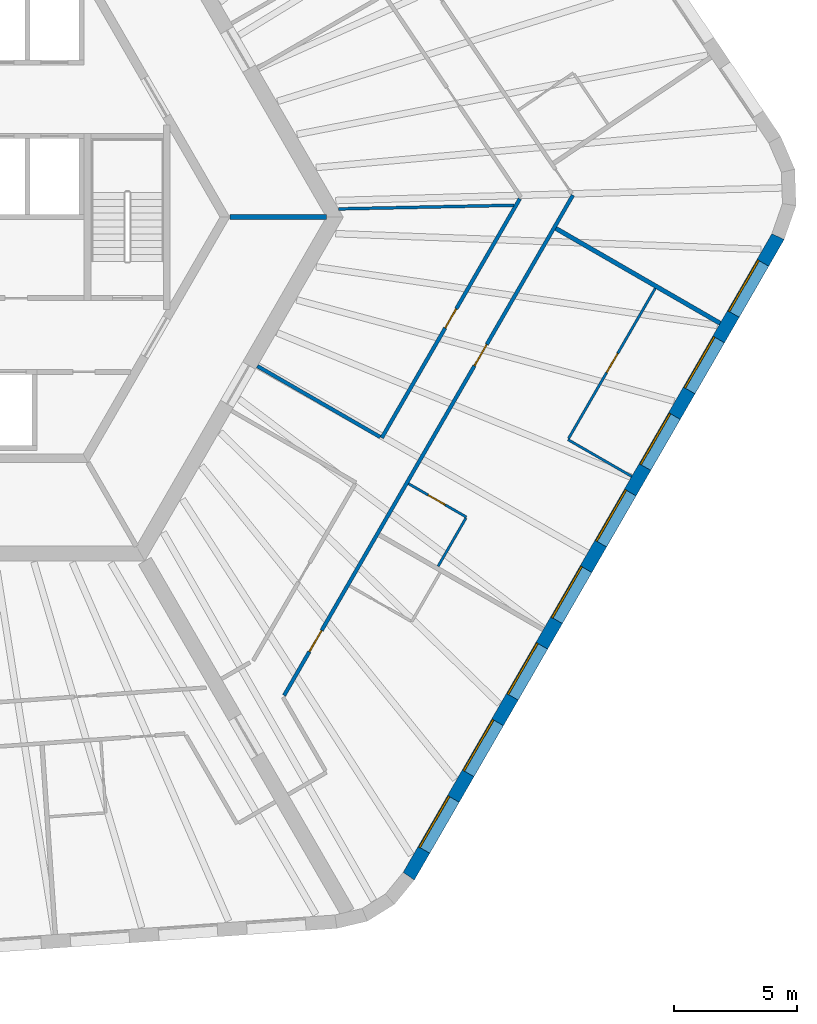
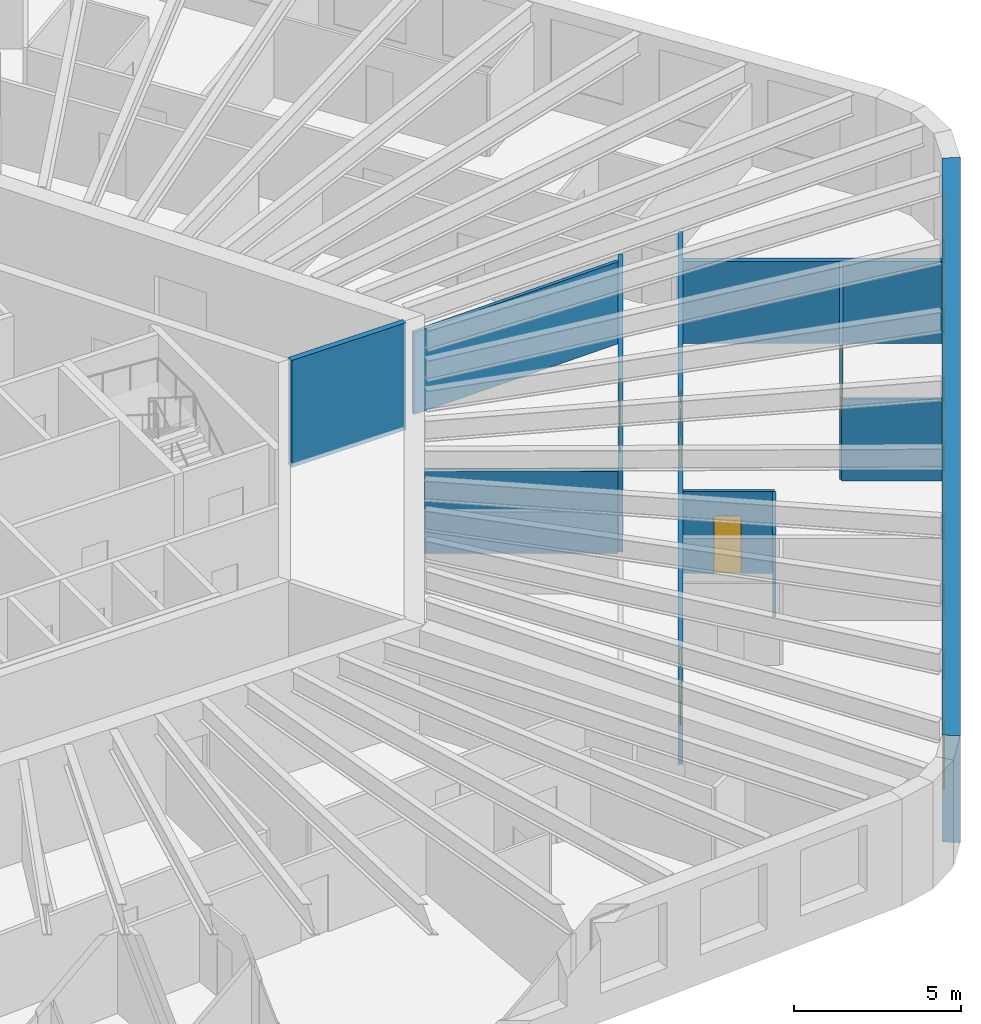
# One storey, part 6 of 12: 11 walls, 8 windows, 5 doors, 13 openings.
"""IFC4 building model written with IfcOpenShell, lengths in metres."""

from ifc_helpers import new_model, si_unit, direction, frame, frame_2d, origin, place, context, subcontext, project, spatial, polyline, rectangle, outline, extrude, material, layer, layer_set, type_object, element, fill, save


model = new_model("IFC4")

# Units and contexts
model_context = context("Model", 3, precision=1e-05, world=origin(), true_north=direction((0.0, 1.0)))
body_context = subcontext(model_context, "Body", "Model", "MODEL_VIEW")
ifc_project = project(units=[si_unit("LENGTHUNIT", "METRE"), si_unit("AREAUNIT", "SQUARE_METRE"), si_unit("VOLUMEUNIT", "CUBIC_METRE"), si_unit("PLANEANGLEUNIT", "RADIAN"), si_unit("MASSUNIT", "GRAM", prefix="KILO")], contexts=[model_context])

# Site, building, storey
site_placement = place(None, origin())
site = spatial("IfcSite", under=ifc_project, at=site_placement, CompositionType="ELEMENT")
building_placement = place(site_placement, origin())
building = spatial("IfcBuilding", under=site, at=building_placement, Name="Tarnside Tower", CompositionType="ELEMENT")
storey_placement = place(building_placement, frame((0.0, 0.0, 88.199951171875)))
storey = spatial("IfcBuildingStorey", under=building, at=storey_placement, Name="L19", CompositionType="ELEMENT", Elevation=88.199951171875)

# Wall, opening, door
ifc_material_1 = material(Name="Gypsum board partition on steel studs", Category="steel")
ifc_layer_1 = layer(ifc_material_1, 0.10009765625)
ifc_layer_set_1 = layer_set([ifc_layer_1], Name="Bathroom wall 100")
wall_type_1 = type_object("IfcWallType", Name="Bathroom wall 100", PredefinedType="PARTITIONING", material=ifc_layer_set_1)
wall_1_placement = place(storey_placement, frame((18.81982421875, -10.85302734375, 0.0), z_axis=(0.0, 0.0, 1.0), x_axis=(0.866073700213, -0.499916338801, 0.0)))
wall_1 = element("IfcWall", 1, at=wall_1_placement, inside=storey, type_object=wall_type_1, Name="Bathroom wall 05142", PredefinedType="PARTITIONING", context=body_context, shape_type="SweptSolid", body=[
    extrude(rectangle(XDim=2.72509765625, YDim=0.10009765625, at=frame_2d((1.362548828125, 0.0))), origin(), (0.0, 0.0, 1.0), 2.98779296875),
])
opening_1_placement = place(wall_1_placement, frame((0.925048828125, 0.0, 0.0)))
opening_1 = element("IfcOpeningElement", 2, at=opening_1_placement, cuts=wall_1, Name="Opening D-B1", PredefinedType="OPENING", context=body_context, shape_type="SweptSolid", body=[
    extrude(rectangle(XDim=0.800048828125, YDim=2.10009765625, at=frame_2d((0.39990234375, 1.050048828125))), frame((0.0, 0.06005859375, 0.0), z_axis=(0.0, -1.0, 0.0), x_axis=(1.0, 0.0, 0.0)), (0.0, 0.0, 1.0), 0.1201171875),
])
ifc_material_2 = material(Name="Timber door leaf", Category="wood")
door_type_1 = type_object("IfcDoorType", Name="Bathroom door 800", OperationType="NOTDEFINED", PredefinedType="DOOR", material=ifc_material_2)
door_1_placement = place(opening_1_placement, origin())
door_1 = element("IfcDoor", 3, at=door_1_placement, inside=storey, type_object=door_type_1, Name="Bathroom door 05033", OperationType="SINGLE_SWING_RIGHT", OverallHeight=2.10009765625, OverallWidth=0.800048828125, PredefinedType="DOOR", context=body_context, shape_type="SweptSolid", body=[
    extrude(rectangle(XDim=0.800048828125, YDim=2.10009765625, at=frame_2d((0.39990234375, 1.050048828125))), frame((0.0, 0.02490234375, 0.0), z_axis=(0.0, -1.0, 0.0), x_axis=(1.0, 0.0, 0.0)), (0.0, 0.0, 1.0), 0.050048828125),
])
fill(opening_1, door_1)

# Wall
wall_2_placement = place(storey_placement, frame((21.15478515625, -12.2587890625, 0.0), z_axis=(0.0, 0.0, 1.0), x_axis=(-0.49995000081, -0.866054268906, 0.0)))
element("IfcWall", 4, at=wall_2_placement, inside=storey, type_object=wall_type_1, Name="Bathroom wall 05143", PredefinedType="PARTITIONING", context=body_context, shape_type="SweptSolid", body=[
    extrude(rectangle(XDim=2.260009765625, YDim=0.10009765625, at=frame_2d((1.1298828125, 0.0))), origin(), (0.0, 0.0, 1.0), 2.98779296875),
])

# Wall, openings, doors
ifc_layer_2 = layer(ifc_material_1, 0.14990234375)
ifc_layer_set_2 = layer_set([ifc_layer_2], Name="Corridor wall 150 EI 60")
wall_type_2 = type_object("IfcWallType", Name="Corridor wall 150 EI 60", PredefinedType="PARTITIONING", material=ifc_layer_set_2)
wall_3_placement = place(storey_placement, frame((13.75537109375, -19.47509765625, 0.0), z_axis=(0.0, 0.0, 1.0), x_axis=(0.50000013933, 0.866025323342, 0.0)))
wall_3 = element("IfcWall", 5, at=wall_3_placement, inside=storey, type_object=wall_type_2, Name="Corridor wall 05057", PredefinedType="PARTITIONING", context=body_context, shape_type="SweptSolid", body=[
    extrude(rectangle(XDim=23.5166015625, YDim=0.14990234375, at=frame_2d((11.75830078125, 0.0))), origin(), (0.0, 0.0, 1.0), 2.98779296875),
])
opening_2_placement = place(wall_3_placement, frame((2.056396484375, 0.0, 0.0)))
opening_2 = element("IfcOpeningElement", 6, at=opening_2_placement, cuts=wall_3, Name="Opening D-E1", PredefinedType="OPENING", context=body_context, shape_type="SweptSolid", body=[
    extrude(rectangle(XDim=1.0, YDim=2.10009765625, at=frame_2d((0.5, 1.050048828125))), frame((0.0, 0.0849609375, 0.0), z_axis=(0.0, -1.0, 0.0), x_axis=(1.0, 0.0, 0.0)), (0.0, 0.0, 1.0), 0.169921875),
])
opening_3_placement = place(wall_3_placement, frame((15.499267578125, 0.0, 0.0)))
opening_3 = element("IfcOpeningElement", 7, at=opening_3_placement, cuts=wall_3, Name="Opening D-E1", PredefinedType="OPENING", context=body_context, shape_type="SweptSolid", body=[
    extrude(rectangle(XDim=1.0, YDim=2.10009765625, at=frame_2d((0.5, 1.050048828125))), frame((0.0, 0.0849609375, 0.0), z_axis=(0.0, -1.0, 0.0), x_axis=(1.0, 0.0, 0.0)), (0.0, 0.0, 1.0), 0.169921875),
])
door_type_2 = type_object("IfcDoorType", Name="Unit entrance door 1000 FD30S", OperationType="NOTDEFINED", PredefinedType="DOOR", material=ifc_material_2)
door_2_placement = place(opening_2_placement, origin())
door_2 = element("IfcDoor", 8, at=door_2_placement, inside=storey, type_object=door_type_2, Name="Unit door 05030", OperationType="SINGLE_SWING_RIGHT", OverallHeight=2.10009765625, OverallWidth=1.0, PredefinedType="DOOR", context=body_context, shape_type="SweptSolid", body=[
    extrude(rectangle(XDim=1.0, YDim=2.10009765625, at=frame_2d((0.5, 1.050048828125))), frame((0.0, 0.02490234375, 0.0), z_axis=(0.0, -1.0, 0.0), x_axis=(1.0, 0.0, 0.0)), (0.0, 0.0, 1.0), 0.050048828125),
])
fill(opening_2, door_2)
door_3_placement = place(opening_3_placement, origin())
door_3 = element("IfcDoor", 9, at=door_3_placement, inside=storey, type_object=door_type_2, Name="Unit door 05032", OperationType="SINGLE_SWING_LEFT", OverallHeight=2.10009765625, OverallWidth=1.0, PredefinedType="DOOR", context=body_context, shape_type="SweptSolid", body=[
    extrude(rectangle(XDim=1.0, YDim=2.10009765625, at=frame_2d((0.5, 1.050048828125))), frame((0.0, 0.02490234375, 0.0), z_axis=(0.0, -1.0, 0.0), x_axis=(1.0, 0.0, 0.0)), (0.0, 0.0, 1.0), 0.050048828125),
])
fill(opening_3, door_3)

# Wall, opening, door
wall_4_placement = place(storey_placement, frame((23.3505859375, 0.74462890625, 0.0), z_axis=(0.0, 0.0, 1.0), x_axis=(-0.49999316964, -0.866029347258, 0.0)))
wall_4 = element("IfcWall", 10, at=wall_4_placement, inside=storey, type_object=wall_type_2, Name="Corridor wall 05069", PredefinedType="PARTITIONING", context=body_context, shape_type="SweptSolid", body=[
    extrude(rectangle(XDim=11.241455078125, YDim=0.14990234375, at=frame_2d((5.62060546875, 0.0))), origin(), (0.0, 0.0, 1.0), 2.98779296875),
])
opening_4_placement = place(wall_4_placement, frame((5.170654296875, 0.0, 0.0)))
opening_4 = element("IfcOpeningElement", 11, at=opening_4_placement, cuts=wall_4, Name="Opening D-S1", PredefinedType="OPENING", context=body_context, shape_type="SweptSolid", body=[
    extrude(rectangle(XDim=0.89990234375, YDim=2.10009765625, at=frame_2d((0.449951171875, 1.050048828125))), frame((0.0, 0.0849609375, 0.0), z_axis=(0.0, -1.0, 0.0), x_axis=(1.0, 0.0, 0.0)), (0.0, 0.0, 1.0), 0.169921875),
])
door_type_3 = type_object("IfcDoorType", Name="Service room door 900 FD30S", OperationType="NOTDEFINED", PredefinedType="DOOR", material=ifc_material_2)
door_4_placement = place(opening_4_placement, origin())
door_4 = element("IfcDoor", 12, at=door_4_placement, inside=storey, type_object=door_type_3, Name="Service door 05049", OperationType="SINGLE_SWING_RIGHT", OverallHeight=2.10009765625, OverallWidth=0.89990234375, PredefinedType="DOOR", context=body_context, shape_type="SweptSolid", body=[
    extrude(rectangle(XDim=0.89990234375, YDim=2.10009765625, at=frame_2d((0.449951171875, 1.050048828125))), frame((0.0, 0.02490234375, 0.0), z_axis=(0.0, -1.0, 0.0), x_axis=(1.0, 0.0, 0.0)), (0.0, 0.0, 1.0), 0.050048828125),
])
fill(opening_4, door_4)

# Walls
wall_5_placement = place(storey_placement, frame((17.6650390625, -8.953125, 0.0), z_axis=(0.0, 0.0, 1.0), x_axis=(-0.866025774745, 0.499999357477, 0.0)))
element("IfcWall", 13, at=wall_5_placement, inside=storey, type_object=wall_type_2, Name="Corridor wall 05070", PredefinedType="PARTITIONING", context=body_context, shape_type="SweptSolid", body=[
    extrude(rectangle(XDim=5.77490234375, YDim=0.14990234375, at=frame_2d((2.887451171875, 0.0))), origin(), (0.0, 0.0, 1.0), 2.98779296875),
])
ifc_layer_3 = layer(ifc_material_1, 0.179931640625)
ifc_layer_set_3 = layer_set([ifc_layer_3], Name="Demising wall 180 EI 60")
wall_type_3 = type_object("IfcWallType", Name="Demising wall 180 EI 60", PredefinedType="PARTITIONING", material=ifc_layer_set_3)
wall_6_placement = place(storey_placement, frame((31.510009765625, -4.3232421875, 0.0), z_axis=(0.0, 0.0, 1.0), x_axis=(-0.866027174938, 0.499996932259, 0.0)))
element("IfcWall", 14, at=wall_6_placement, inside=storey, type_object=wall_type_3, Name="Demising wall 05146", PredefinedType="PARTITIONING", context=body_context, shape_type="SweptSolid", body=[
    extrude(rectangle(XDim=7.72509765625, YDim=0.179931640625, at=frame_2d((3.862548828125, 0.0))), origin(), (0.0, 0.0, 1.0), 2.98779296875),
])
ifc_material_3 = material(Name="Concrete C40/50", Category="concrete")
ifc_layer_4 = layer(ifc_material_3, 0.199951171875)
ifc_layer_set_4 = layer_set([ifc_layer_4], Name="Lift shaft wall 200 C40/50")
wall_type_4 = type_object("IfcWallType", Name="Lift shaft wall 200 C40/50", PredefinedType="SHEAR", material=ifc_layer_set_4)
wall_7_placement = place(storey_placement, frame((11.547119140625, 0.0, -0.14990234375), z_axis=(0.0, 0.0, 1.0), x_axis=(1.0, 0.0, 0.0)))
element("IfcWall", 15, at=wall_7_placement, inside=storey, type_object=wall_type_4, Name="L19 core partition AR0", PredefinedType="SHEAR", context=body_context, shape_type="SweptSolid", body=[
    extrude(rectangle(XDim=3.92578125, YDim=0.199951171875, at=frame_2d((1.962890625, 0.0))), origin(), (0.0, 0.0, 1.0), 3.89990234375),
])
ifc_layer_5 = layer(ifc_material_1, 0.10009765625)
ifc_layer_set_5 = layer_set([ifc_layer_5], Name="Partition 100")
wall_type_5 = type_object("IfcWallType", Name="Partition 100", PredefinedType="PARTITIONING", material=ifc_layer_set_5)
wall_8_placement = place(storey_placement, frame((27.909912109375, -10.55859375, 0.0), z_axis=(0.0, 0.0, 1.0), x_axis=(-0.866010750942, 0.50002537861, 0.0)))
element("IfcWall", 16, at=wall_8_placement, inside=storey, type_object=wall_type_5, Name="Partition wall 05144", PredefinedType="PARTITIONING", context=body_context, shape_type="SweptSolid", body=[
    extrude(rectangle(XDim=2.999755859375, YDim=0.10009765625, at=frame_2d((1.5, 0.0))), origin(), (0.0, 0.0, 1.0), 2.98779296875),
])

# Wall, opening, door
wall_9_placement = place(storey_placement, frame((25.3369140625, -9.01513671875, 0.0), z_axis=(0.0, 0.0, 1.0), x_axis=(0.500010820671, 0.866019156377, 0.0)))
wall_9 = element("IfcWall", 17, at=wall_9_placement, inside=storey, type_object=wall_type_5, Name="Partition wall 05145", PredefinedType="PARTITIONING", context=body_context, shape_type="SweptSolid", body=[
    extrude(rectangle(XDim=7.059814453125, YDim=0.10009765625, at=frame_2d((3.52978515625, 0.0))), origin(), (0.0, 0.0, 1.0), 2.98779296875),
])
opening_5_placement = place(wall_9_placement, frame((3.10009765625, 0.0, 0.0)))
opening_5 = element("IfcOpeningElement", 18, at=opening_5_placement, cuts=wall_9, Name="Opening D-I1", PredefinedType="OPENING", context=body_context, shape_type="SweptSolid", body=[
    extrude(rectangle(XDim=0.89990234375, YDim=2.10009765625, at=frame_2d((0.449951171875, 1.050048828125))), frame((0.0, 0.06005859375, 0.0), z_axis=(0.0, -1.0, 0.0), x_axis=(1.0, 0.0, 0.0)), (0.0, 0.0, 1.0), 0.1201171875),
])
door_type_4 = type_object("IfcDoorType", Name="Internal door 900", OperationType="NOTDEFINED", PredefinedType="DOOR", material=ifc_material_2)
door_5_placement = place(opening_5_placement, origin())
door_5 = element("IfcDoor", 19, at=door_5_placement, inside=storey, type_object=door_type_4, Name="Internal door 05034", OperationType="SINGLE_SWING_RIGHT", OverallHeight=2.10009765625, OverallWidth=0.89990234375, PredefinedType="DOOR", context=body_context, shape_type="SweptSolid", body=[
    extrude(rectangle(XDim=0.89990234375, YDim=2.10009765625, at=frame_2d((0.449951171875, 1.050048828125))), frame((0.0, 0.02490234375, 0.0), z_axis=(0.0, -1.0, 0.0), x_axis=(1.0, 0.0, 0.0)), (0.0, 0.0, 1.0), 0.050048828125),
])
fill(opening_5, door_5)

# Wall
ifc_layer_6 = layer(ifc_material_1, 0.1201171875)
ifc_layer_set_6 = layer_set([ifc_layer_6], Name="Service room wall 120 EI 60")
wall_type_6 = type_object("IfcWallType", Name="Service room wall 120 EI 60", PredefinedType="PARTITIONING", material=ifc_layer_set_6)
wall_10_placement = place(storey_placement, frame((23.113037109375, 0.483154296875, 0.0), z_axis=(0.0, 0.0, 1.0), x_axis=(-0.999781109464, -0.020922073482, 0.0)))
element("IfcWall", 20, at=wall_10_placement, inside=storey, type_object=wall_type_6, Name="Service wall 05161", PredefinedType="PARTITIONING", context=body_context, shape_type="SweptSolid", body=[
    extrude(rectangle(XDim=7.141357421875, YDim=0.1201171875, at=frame_2d((3.57080078125, 0.0))), origin(), (0.0, 0.0, 1.0), 2.98779296875),
])

# Wall, openings, windows
ifc_material_4 = material(Name="Facing brick", Category="masonry")
ifc_layer_7 = layer(ifc_material_4, 0.10205078125)
ifc_material_5 = material(Name="Concrete C60/75 precast", Category="concrete")
ifc_layer_8 = layer(ifc_material_5, 0.347900390625)
ifc_material_6 = material(Name="Mineral wool insulation")
ifc_layer_9 = layer(ifc_material_6, 0.10009765625)
ifc_layer_set_7 = layer_set([ifc_layer_7, ifc_layer_8, ifc_layer_9], Name="Tube wall 550 brick faced")
wall_type_7 = type_object("IfcWallType", Name="Tube wall 550 brick faced", PredefinedType="SOLIDWALL", material=ifc_layer_set_7)
wall_11_placement = place(storey_placement, frame((18.830322265625, -26.834716796875, -0.14990234375), z_axis=(0.0, 0.0, 1.0), x_axis=(0.500003800416, 0.866023209602, 0.0)))
wall_11 = element("IfcWall", 21, at=wall_11_placement, inside=storey, type_object=wall_type_7, Name="Tube wall L19 F5 flush 16", PredefinedType="SOLIDWALL", context=body_context, shape_type="SweptSolid", body=[
    extrude(outline(polyline([(-0.0224609375, -0.27490234375), (30.0966796875, -0.27490234375), (30.04541015625, 0.27490234375), (0.0224609375, 0.27490234375), (-0.0224609375, -0.27490234375)])), origin(), (0.0, 0.0, 1.0), 3.89990234375),
])
opening_6_placement = place(wall_11_placement, frame((1.235595703125, 0.0, 1.050048828125)))
opening_6 = element("IfcOpeningElement", 22, at=opening_6_placement, cuts=wall_11, Name="Opening WH", PredefinedType="OPENING", context=body_context, shape_type="SweptSolid", body=[
    extrude(rectangle(XDim=2.39990234375, YDim=2.39990234375, at=frame_2d((1.199951171875, 1.199951171875))), frame((0.0, 0.28515625, 0.0), z_axis=(0.0, -1.0, 0.0), x_axis=(1.0, 0.0, 0.0)), (0.0, 0.0, 1.0), 0.570068359375),
])
opening_7_placement = place(wall_11_placement, frame((4.83544921875, 0.0, 1.050048828125)))
opening_7 = element("IfcOpeningElement", 23, at=opening_7_placement, cuts=wall_11, Name="Opening WH", PredefinedType="OPENING", context=body_context, shape_type="SweptSolid", body=[
    extrude(rectangle(XDim=2.39990234375, YDim=2.39990234375, at=frame_2d((1.199951171875, 1.199951171875))), frame((0.0, 0.28515625, 0.0), z_axis=(0.0, -1.0, 0.0), x_axis=(1.0, 0.0, 0.0)), (0.0, 0.0, 1.0), 0.570068359375),
])
opening_8_placement = place(wall_11_placement, frame((8.435546875, 0.0, 1.050048828125)))
opening_8 = element("IfcOpeningElement", 24, at=opening_8_placement, cuts=wall_11, Name="Opening WH", PredefinedType="OPENING", context=body_context, shape_type="SweptSolid", body=[
    extrude(rectangle(XDim=2.39990234375, YDim=2.39990234375, at=frame_2d((1.199951171875, 1.199951171875))), frame((0.0, 0.28515625, 0.0), z_axis=(0.0, -1.0, 0.0), x_axis=(1.0, 0.0, 0.0)), (0.0, 0.0, 1.0), 0.570068359375),
])
opening_9_placement = place(wall_11_placement, frame((12.035400390625, 0.0, 1.050048828125)))
opening_9 = element("IfcOpeningElement", 25, at=opening_9_placement, cuts=wall_11, Name="Opening WH", PredefinedType="OPENING", context=body_context, shape_type="SweptSolid", body=[
    extrude(rectangle(XDim=2.39990234375, YDim=2.39990234375, at=frame_2d((1.199951171875, 1.199951171875))), frame((0.0, 0.28515625, 0.0), z_axis=(0.0, -1.0, 0.0), x_axis=(1.0, 0.0, 0.0)), (0.0, 0.0, 1.0), 0.570068359375),
])
opening_10_placement = place(wall_11_placement, frame((15.635498046875, 0.0, 1.050048828125)))
opening_10 = element("IfcOpeningElement", 26, at=opening_10_placement, cuts=wall_11, Name="Opening WH", PredefinedType="OPENING", context=body_context, shape_type="SweptSolid", body=[
    extrude(rectangle(XDim=2.39990234375, YDim=2.39990234375, at=frame_2d((1.199951171875, 1.199951171875))), frame((0.0, 0.28515625, 0.0), z_axis=(0.0, -1.0, 0.0), x_axis=(1.0, 0.0, 0.0)), (0.0, 0.0, 1.0), 0.570068359375),
])
opening_11_placement = place(wall_11_placement, frame((19.235595703125, 0.0, 1.050048828125)))
opening_11 = element("IfcOpeningElement", 27, at=opening_11_placement, cuts=wall_11, Name="Opening WH", PredefinedType="OPENING", context=body_context, shape_type="SweptSolid", body=[
    extrude(rectangle(XDim=2.39990234375, YDim=2.39990234375, at=frame_2d((1.199951171875, 1.199951171875))), frame((0.0, 0.28515625, 0.0), z_axis=(0.0, -1.0, 0.0), x_axis=(1.0, 0.0, 0.0)), (0.0, 0.0, 1.0), 0.570068359375),
])
opening_12_placement = place(wall_11_placement, frame((22.83544921875, 0.0, 1.050048828125)))
opening_12 = element("IfcOpeningElement", 28, at=opening_12_placement, cuts=wall_11, Name="Opening WH", PredefinedType="OPENING", context=body_context, shape_type="SweptSolid", body=[
    extrude(rectangle(XDim=2.39990234375, YDim=2.39990234375, at=frame_2d((1.199951171875, 1.199951171875))), frame((0.0, 0.28515625, 0.0), z_axis=(0.0, -1.0, 0.0), x_axis=(1.0, 0.0, 0.0)), (0.0, 0.0, 1.0), 0.570068359375),
])
opening_13_placement = place(wall_11_placement, frame((26.435546875, 0.0, 1.050048828125)))
opening_13 = element("IfcOpeningElement", 29, at=opening_13_placement, cuts=wall_11, Name="Opening WH", PredefinedType="OPENING", context=body_context, shape_type="SweptSolid", body=[
    extrude(rectangle(XDim=2.39990234375, YDim=2.39990234375, at=frame_2d((1.199951171875, 1.199951171875))), frame((0.0, 0.28515625, 0.0), z_axis=(0.0, -1.0, 0.0), x_axis=(1.0, 0.0, 0.0)), (0.0, 0.0, 1.0), 0.570068359375),
])
ifc_material_7 = material(Name="Aluminium-framed double glazing", Category="aluminium")
window_type = type_object("IfcWindowType", Name="Hotel window 2400 x 2400", PartitioningType="DOUBLE_PANEL_VERTICAL", PredefinedType="WINDOW", material=ifc_material_7)
window_1_placement = place(opening_6_placement, frame((0.0, 0.205078125, 0.0)))
window_1 = element("IfcWindow", 30, at=window_1_placement, inside=storey, type_object=window_type, Name="E.WN.L19.F5.00", OverallHeight=2.39990234375, OverallWidth=2.39990234375, PartitioningType="DOUBLE_PANEL_VERTICAL", PredefinedType="WINDOW", context=body_context, shape_type="SweptSolid", body=[
    extrude(rectangle(XDim=2.39990234375, YDim=2.39990234375, at=frame_2d((1.199951171875, 1.199951171875))), frame((0.0, 0.030029296875, 0.0), z_axis=(0.0, -1.0, 0.0), x_axis=(1.0, 0.0, 0.0)), (0.0, 0.0, 1.0), 0.06005859375),
])
fill(opening_6, window_1)
window_2_placement = place(opening_7_placement, frame((0.0, 0.205078125, 0.0)))
window_2 = element("IfcWindow", 31, at=window_2_placement, inside=storey, type_object=window_type, Name="E.WN.L19.F5.01", OverallHeight=2.39990234375, OverallWidth=2.39990234375, PartitioningType="DOUBLE_PANEL_VERTICAL", PredefinedType="WINDOW", context=body_context, shape_type="SweptSolid", body=[
    extrude(rectangle(XDim=2.39990234375, YDim=2.39990234375, at=frame_2d((1.199951171875, 1.199951171875))), frame((0.0, 0.030029296875, 0.0), z_axis=(0.0, -1.0, 0.0), x_axis=(1.0, 0.0, 0.0)), (0.0, 0.0, 1.0), 0.06005859375),
])
fill(opening_7, window_2)
window_3_placement = place(opening_8_placement, frame((0.0, 0.205078125, 0.0)))
window_3 = element("IfcWindow", 32, at=window_3_placement, inside=storey, type_object=window_type, Name="E.WN.L19.F5.02", OverallHeight=2.39990234375, OverallWidth=2.39990234375, PartitioningType="DOUBLE_PANEL_VERTICAL", PredefinedType="WINDOW", context=body_context, shape_type="SweptSolid", body=[
    extrude(rectangle(XDim=2.39990234375, YDim=2.39990234375, at=frame_2d((1.199951171875, 1.199951171875))), frame((0.0, 0.030029296875, 0.0), z_axis=(0.0, -1.0, 0.0), x_axis=(1.0, 0.0, 0.0)), (0.0, 0.0, 1.0), 0.06005859375),
])
fill(opening_8, window_3)
window_4_placement = place(opening_9_placement, frame((0.0, 0.205078125, 0.0)))
window_4 = element("IfcWindow", 33, at=window_4_placement, inside=storey, type_object=window_type, Name="E.WN.L19.F5.03", OverallHeight=2.39990234375, OverallWidth=2.39990234375, PartitioningType="DOUBLE_PANEL_VERTICAL", PredefinedType="WINDOW", context=body_context, shape_type="SweptSolid", body=[
    extrude(rectangle(XDim=2.39990234375, YDim=2.39990234375, at=frame_2d((1.199951171875, 1.199951171875))), frame((0.0, 0.030029296875, 0.0), z_axis=(0.0, -1.0, 0.0), x_axis=(1.0, 0.0, 0.0)), (0.0, 0.0, 1.0), 0.06005859375),
])
fill(opening_9, window_4)
window_5_placement = place(opening_10_placement, frame((0.0, 0.205078125, 0.0)))
window_5 = element("IfcWindow", 34, at=window_5_placement, inside=storey, type_object=window_type, Name="E.WN.L19.F5.04", OverallHeight=2.39990234375, OverallWidth=2.39990234375, PartitioningType="DOUBLE_PANEL_VERTICAL", PredefinedType="WINDOW", context=body_context, shape_type="SweptSolid", body=[
    extrude(rectangle(XDim=2.39990234375, YDim=2.39990234375, at=frame_2d((1.199951171875, 1.199951171875))), frame((0.0, 0.030029296875, 0.0), z_axis=(0.0, -1.0, 0.0), x_axis=(1.0, 0.0, 0.0)), (0.0, 0.0, 1.0), 0.06005859375),
])
fill(opening_10, window_5)
window_6_placement = place(opening_11_placement, frame((0.0, 0.205078125, 0.0)))
window_6 = element("IfcWindow", 35, at=window_6_placement, inside=storey, type_object=window_type, Name="E.WN.L19.F5.05", OverallHeight=2.39990234375, OverallWidth=2.39990234375, PartitioningType="DOUBLE_PANEL_VERTICAL", PredefinedType="WINDOW", context=body_context, shape_type="SweptSolid", body=[
    extrude(rectangle(XDim=2.39990234375, YDim=2.39990234375, at=frame_2d((1.199951171875, 1.199951171875))), frame((0.0, 0.030029296875, 0.0), z_axis=(0.0, -1.0, 0.0), x_axis=(1.0, 0.0, 0.0)), (0.0, 0.0, 1.0), 0.06005859375),
])
fill(opening_11, window_6)
window_7_placement = place(opening_12_placement, frame((0.0, 0.205078125, 0.0)))
window_7 = element("IfcWindow", 36, at=window_7_placement, inside=storey, type_object=window_type, Name="E.WN.L19.F5.06", OverallHeight=2.39990234375, OverallWidth=2.39990234375, PartitioningType="DOUBLE_PANEL_VERTICAL", PredefinedType="WINDOW", context=body_context, shape_type="SweptSolid", body=[
    extrude(rectangle(XDim=2.39990234375, YDim=2.39990234375, at=frame_2d((1.199951171875, 1.199951171875))), frame((0.0, 0.030029296875, 0.0), z_axis=(0.0, -1.0, 0.0), x_axis=(1.0, 0.0, 0.0)), (0.0, 0.0, 1.0), 0.06005859375),
])
fill(opening_12, window_7)
window_8_placement = place(opening_13_placement, frame((0.0, 0.205078125, 0.0)))
window_8 = element("IfcWindow", 37, at=window_8_placement, inside=storey, type_object=window_type, Name="E.WN.L19.F5.07", OverallHeight=2.39990234375, OverallWidth=2.39990234375, PartitioningType="DOUBLE_PANEL_VERTICAL", PredefinedType="WINDOW", context=body_context, shape_type="SweptSolid", body=[
    extrude(rectangle(XDim=2.39990234375, YDim=2.39990234375, at=frame_2d((1.199951171875, 1.199951171875))), frame((0.0, 0.030029296875, 0.0), z_axis=(0.0, -1.0, 0.0), x_axis=(1.0, 0.0, 0.0)), (0.0, 0.0, 1.0), 0.06005859375),
])
fill(opening_13, window_8)

save(model, "model.ifc")
